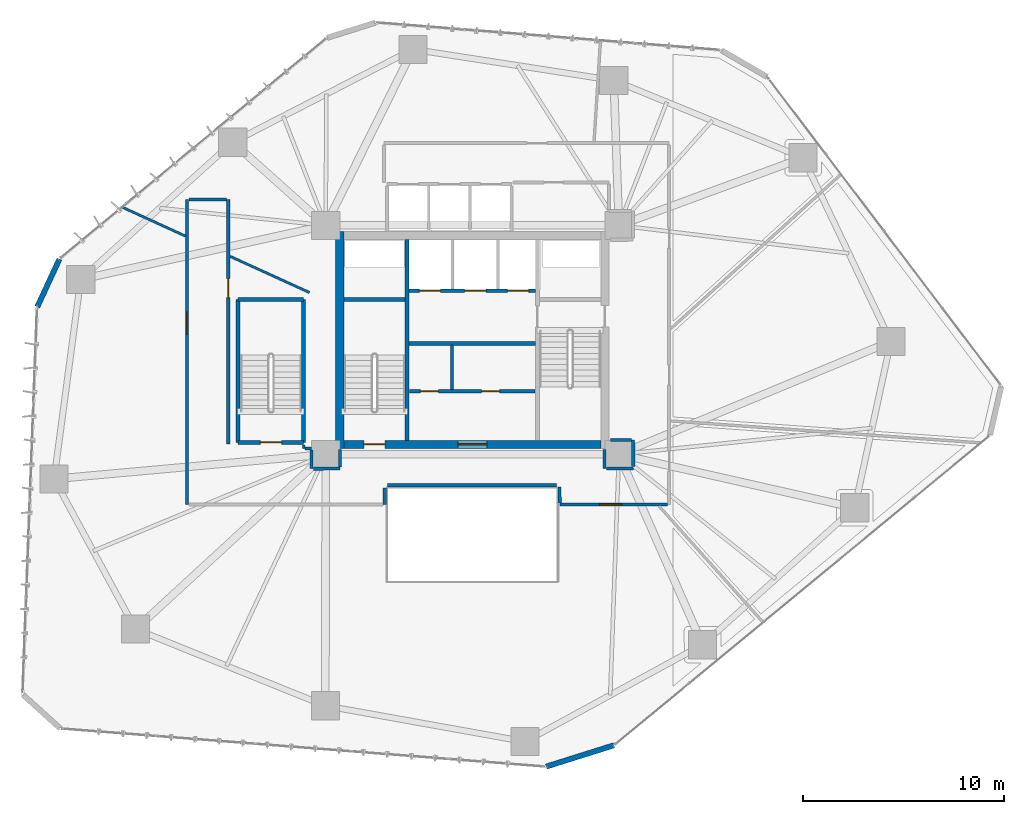
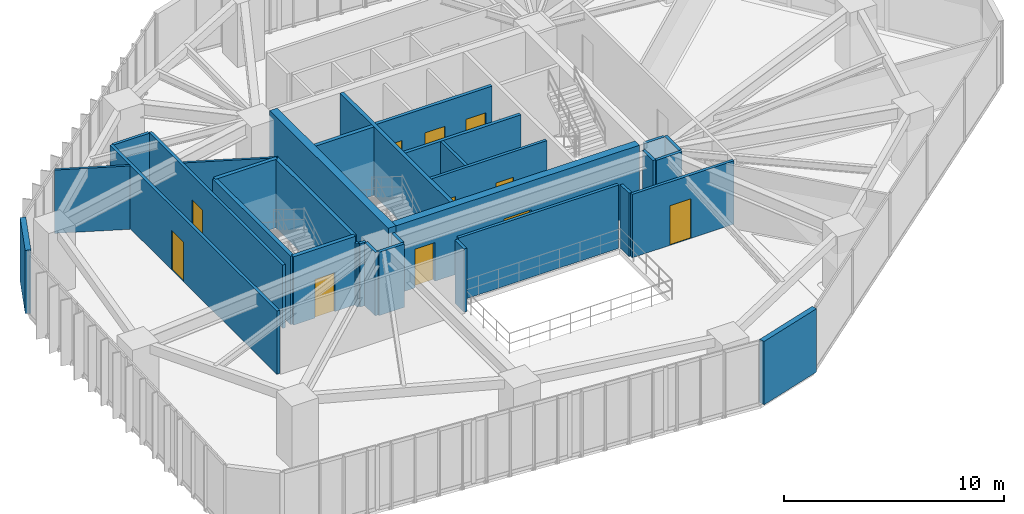
# One storey, part 18 of 23: 32 walls, 11 doors, 11 openings.
"""IFC4 building model written with IfcOpenShell, lengths in metres."""

from ifc_helpers import new_model, si_unit, direction, frame, frame_2d, origin, place, context, subcontext, project, spatial, rectangle, extrude, source, transform, mapped, material, layer, layer_set, type_object, type_shapes, element, fill, save


model = new_model("IFC4")

# Units and contexts
model_context = context("Model", 3, precision=1e-05, world=origin(), true_north=direction((0.0, 1.0)))
body_context = subcontext(model_context, "Body", "Model", "MODEL_VIEW")
ifc_project = project(units=[si_unit("LENGTHUNIT", "METRE"), si_unit("AREAUNIT", "SQUARE_METRE"), si_unit("VOLUMEUNIT", "CUBIC_METRE"), si_unit("PLANEANGLEUNIT", "RADIAN"), si_unit("MASSUNIT", "GRAM", prefix="KILO")], contexts=[model_context])

# Site, building, storey
site_placement = place(None, origin())
site = spatial("IfcSite", under=ifc_project, at=site_placement, CompositionType="ELEMENT")
building_placement = place(site_placement, origin())
building = spatial("IfcBuilding", under=site, at=building_placement, Name="Talar Marvaseh", CompositionType="ELEMENT")
storey_placement = place(building_placement, frame((0.0, 0.0, 77.199951171875)))
storey = spatial("IfcBuildingStorey", under=building, at=storey_placement, Name="L19", CompositionType="ELEMENT", Elevation=77.199951171875)

# Walls
ifc_material_1 = material(Name="Precast concrete C45/55", Category="concrete")
ifc_layer_1 = layer(ifc_material_1, 0.27001953125)
ifc_layer_set_1 = layer_set([ifc_layer_1], Name="Precast concrete C45/55")
wall_type_1 = type_object("IfcWallType", Name="Chamfered Hexagonal Corner Pier Wall Z1 270", PredefinedType="SOLIDWALL", material=ifc_layer_set_1)
wall_1_placement = place(storey_placement, frame((4.335693359375, 32.84521484375, 0.0), z_axis=(0.0, 0.0, 1.0), x_axis=(0.420662814651, 0.907217061331, 0.0)))
element("IfcWall", 1, at=wall_1_placement, inside=storey, type_object=wall_type_1, Name="L19 Chamfered Corner Limestone Pier 2", PredefinedType="SOLIDWALL", context=body_context, shape_type="SweptSolid", body=[
    extrude(rectangle(XDim=2.623291015625, YDim=0.27001953125, at=frame_2d((1.3115234375, 0.0))), origin(), (0.0, 0.0, 1.0), 3.52001953125),
])
wall_2_placement = place(storey_placement, frame((33.052490234375, 11.01171875, 0.0), z_axis=(0.0, 0.0, 1.0), x_axis=(-0.953701547749, -0.300754647216, 0.0)))
element("IfcWall", 2, at=wall_2_placement, inside=storey, type_object=wall_type_1, Name="L19 Chamfered Corner Limestone Pier 6", PredefinedType="SOLIDWALL", context=body_context, shape_type="SweptSolid", body=[
    extrude(rectangle(XDim=3.5361328125, YDim=0.27001953125, at=frame_2d((1.76806640625, 0.0))), origin(), (0.0, 0.0, 1.0), 3.52001953125),
])

# Wall, openings, doors
ifc_material_2 = material(Name="Gypsum Board Partition Assembly")
ifc_layer_2 = layer(ifc_material_2, 0.155029296875)
ifc_layer_set_2 = layer_set([ifc_layer_2], Name="Gypsum Board Partition Assembly")
wall_type_2 = type_object("IfcWallType", Name="Corridor Fire-Rated Acoustic Partition 155", PredefinedType="PARTITIONING", material=ifc_layer_set_2)
wall_3_placement = place(storey_placement, frame((22.865966796875, 28.639892578125, 0.0), z_axis=(0.0, 0.0, 1.0), x_axis=(1.0, 0.0, 0.0)))
wall_3 = element("IfcWall", 3, at=wall_3_placement, inside=storey, type_object=wall_type_2, Name="L19 Core BOH Partition", PredefinedType="PARTITIONING", context=body_context, shape_type="SweptSolid", body=[
    extrude(rectangle(XDim=6.26806640625, YDim=0.155029296875, at=frame_2d((3.134033203125, 0.0))), origin(), (0.0, 0.0, 1.0), 3.52001953125),
])
opening_1_placement = place(wall_3_placement, frame((0.550048828125, 0.0, 0.0)))
opening_1 = element("IfcOpeningElement", 4, at=opening_1_placement, cuts=wall_3, Name="Opening DR-BOH090", PredefinedType="OPENING", context=body_context, shape_type="SweptSolid", body=[
    extrude(rectangle(XDim=0.89990234375, YDim=2.10009765625, at=frame_2d((0.449951171875, 1.050048828125))), frame((0.0, 0.08740234375, 0.0), z_axis=(0.0, -1.0, 0.0), x_axis=(1.0, 0.0, 0.0)), (0.0, 0.0, 1.0), 0.175048828125),
])
opening_2_placement = place(wall_3_placement, frame((3.60009765625, 0.0, 0.0)))
opening_2 = element("IfcOpeningElement", 5, at=opening_2_placement, cuts=wall_3, Name="Opening DR-BOH090", PredefinedType="OPENING", context=body_context, shape_type="SweptSolid", body=[
    extrude(rectangle(XDim=0.89990234375, YDim=2.10009765625, at=frame_2d((0.449951171875, 1.050048828125))), frame((0.0, 0.08740234375, 0.0), z_axis=(0.0, -1.0, 0.0), x_axis=(1.0, 0.0, 0.0)), (0.0, 0.0, 1.0), 0.175048828125),
])
ifc_material_3 = material(Name="Fire-Rated Steel Door Leaf", Category="steel")
door_type_1 = type_object("IfcDoorType", Name="Core Back-of-House Service Door 900x2100", OperationType="NOTDEFINED", PredefinedType="DOOR", material=ifc_material_3)
shared_shape_1 = source(origin(), body_context, "Body", "SweptSolid", [
    extrude(rectangle(XDim=0.89990234375, YDim=2.10009765625, at=frame_2d((0.449951171875, 1.050048828125))), frame((0.0, 0.02490234375, 0.0), z_axis=(0.0, -1.0, 0.0), x_axis=(1.0, 0.0, 0.0)), (0.0, 0.0, 1.0), 0.050048828125),
])
type_shapes(door_type_1, [shared_shape_1])
door_1_placement = place(opening_1_placement, origin())
door_1 = element("IfcDoor", 6, at=door_1_placement, inside=storey, type_object=door_type_1, Name="L19 Cleaner Janitor Store Door", OperationType="SINGLE_SWING_LEFT", OverallHeight=2.10009765625, OverallWidth=0.89990234375, PredefinedType="DOOR", context=body_context, shape_type="MappedRepresentation", body=[
    mapped(shared_shape_1, transform((0.0, 0.0, 0.0), x_axis=(1.0, 0.0, 0.0), y_axis=(0.0, 1.0, 0.0), z_axis=(0.0, 0.0, 1.0), scale=1.0)),
])
fill(opening_1, door_1)
door_2_placement = place(opening_2_placement, origin())
door_2 = element("IfcDoor", 7, at=door_2_placement, inside=storey, type_object=door_type_1, Name="L19 Plant Core Electrical Meter Room Door", OperationType="SINGLE_SWING_RIGHT", OverallHeight=2.10009765625, OverallWidth=0.89990234375, PredefinedType="DOOR", context=body_context, shape_type="MappedRepresentation", body=[
    mapped(shared_shape_1, transform((0.0, 0.0, 0.0), x_axis=(1.0, 0.0, 0.0), y_axis=(0.0, 1.0, 0.0), z_axis=(0.0, 0.0, 1.0), scale=1.0)),
])
fill(opening_2, door_2)

# Wall
wall_4_placement = place(storey_placement, frame((24.97998046875, 28.719970703125, 0.0), z_axis=(0.0, 0.0, 1.0), x_axis=(0.0, 1.0, 0.0)))
element("IfcWall", 8, at=wall_4_placement, inside=storey, type_object=wall_type_2, Name="L19 Core BOH Partition", PredefinedType="PARTITIONING", context=body_context, shape_type="SweptSolid", body=[
    extrude(rectangle(XDim=2.219970703125, YDim=0.155029296875, at=frame_2d((1.10986328125, 0.0))), origin(), (0.0, 0.0, 1.0), 3.52001953125),
])

# Wall, opening, door
wall_5_placement = place(storey_placement, frame((11.800048828125, 23.0, 0.0), z_axis=(0.0, 0.0, 1.0), x_axis=(0.0, 1.0, 0.0)))
wall_5 = element("IfcWall", 9, at=wall_5_placement, inside=storey, type_object=wall_type_2, Name="L19 Interior Partition Wall", PredefinedType="PARTITIONING", context=body_context, shape_type="SweptSolid", body=[
    extrude(rectangle(XDim=15.199951171875, YDim=0.155029296875, at=frame_2d((7.60009765625, 0.0))), origin(), (0.0, 0.0, 1.0), 3.52001953125),
])
opening_3_placement = place(wall_5_placement, frame((8.478271484375, 0.0, 0.0)))
opening_3 = element("IfcOpeningElement", 10, at=opening_3_placement, cuts=wall_5, Name="Opening DR-RM110", PredefinedType="OPENING", context=body_context, shape_type="SweptSolid", body=[
    extrude(rectangle(XDim=1.10009765625, YDim=2.199951171875, at=frame_2d((0.550048828125, 1.10009765625))), frame((0.0, 0.08740234375, 0.0), z_axis=(0.0, -1.0, 0.0), x_axis=(1.0, 0.0, 0.0)), (0.0, 0.0, 1.0), 0.175048828125),
])
ifc_material_4 = material(Name="Acoustic Engineered Oak Timber", Category="wood")
door_type_2 = type_object("IfcDoorType", Name="Assembly and Reading Hall Door 1100x2200", OperationType="NOTDEFINED", PredefinedType="DOOR", material=ifc_material_4)
shared_shape_2 = source(origin(), body_context, "Body", "SweptSolid", [
    extrude(rectangle(XDim=1.10009765625, YDim=2.199951171875, at=frame_2d((0.550048828125, 1.10009765625))), frame((0.0, 0.02490234375, 0.0), z_axis=(0.0, -1.0, 0.0), x_axis=(1.0, 0.0, 0.0)), (0.0, 0.0, 1.0), 0.050048828125),
])
type_shapes(door_type_2, [shared_shape_2])
door_3_placement = place(opening_3_placement, origin())
door_3 = element("IfcDoor", 11, at=door_3_placement, inside=storey, type_object=door_type_2, Name="L19 Gallery Security Control Room Door", OperationType="SINGLE_SWING_LEFT", OverallHeight=2.199951171875, OverallWidth=1.10009765625, PredefinedType="DOOR", context=body_context, shape_type="MappedRepresentation", body=[
    mapped(shared_shape_2, transform((0.0, 0.0, 0.0), x_axis=(1.0, 0.0, 0.0), y_axis=(0.0, 1.0, 0.0), z_axis=(0.0, 0.0, 1.0), scale=1.0)),
])
fill(opening_3, door_3)

wall_6_placement = place(storey_placement, frame((13.85009765625, 38.199951171875, 0.0), z_axis=(0.0, 0.0, 1.0), x_axis=(0.0, -1.0, 0.0)))
wall_6 = element("IfcWall", 12, at=wall_6_placement, inside=storey, type_object=wall_type_2, Name="L19 Interior Partition Wall", PredefinedType="PARTITIONING", context=body_context, shape_type="SweptSolid", body=[
    extrude(rectangle(XDim=12.179931640625, YDim=0.155029296875, at=frame_2d((6.08984375, 0.0))), origin(), (0.0, 0.0, 1.0), 3.52001953125),
])
opening_4_placement = place(wall_6_placement, frame((3.945068359375, 0.0, 0.0)))
opening_4 = element("IfcOpeningElement", 13, at=opening_4_placement, cuts=wall_6, Name="Opening DR-WC095", PredefinedType="OPENING", context=body_context, shape_type="SweptSolid", body=[
    extrude(rectangle(XDim=0.949951171875, YDim=2.14990234375, at=frame_2d((0.47509765625, 1.074951171875))), frame((0.0, 0.08740234375, 0.0), z_axis=(0.0, -1.0, 0.0), x_axis=(1.0, 0.0, 0.0)), (0.0, 0.0, 1.0), 0.175048828125),
])
door_type_3 = type_object("IfcDoorType", Name="Washroom and Service Room Door 950x2150", OperationType="NOTDEFINED", PredefinedType="DOOR", material=ifc_material_4)
shared_shape_3 = source(origin(), body_context, "Body", "SweptSolid", [
    extrude(rectangle(XDim=0.949951171875, YDim=2.14990234375, at=frame_2d((0.47509765625, 1.074951171875))), frame((0.0, 0.02490234375, 0.0), z_axis=(0.0, -1.0, 0.0), x_axis=(1.0, 0.0, 0.0)), (0.0, 0.0, 1.0), 0.050048828125),
])
type_shapes(door_type_3, [shared_shape_3])
door_4_placement = place(opening_4_placement, origin())
door_4 = element("IfcDoor", 14, at=door_4_placement, inside=storey, type_object=door_type_3, Name="L19 WC Public Washrooms Door", OperationType="SINGLE_SWING_RIGHT", OverallHeight=2.14990234375, OverallWidth=0.949951171875, PredefinedType="DOOR", context=body_context, shape_type="MappedRepresentation", body=[
    mapped(shared_shape_3, transform((0.0, 0.0, 0.0), x_axis=(1.0, 0.0, 0.0), y_axis=(0.0, 1.0, 0.0), z_axis=(0.0, 0.0, 1.0), scale=1.0)),
])
fill(opening_4, door_4)

wall_7_placement = place(storey_placement, frame((35.716552734375, 23.0, 0.0), z_axis=(0.0, 0.0, 1.0), x_axis=(-1.0, 0.0, 0.0)))
wall_7 = element("IfcWall", 15, at=wall_7_placement, inside=storey, type_object=wall_type_2, Name="L19 Interior Partition Wall", PredefinedType="PARTITIONING", context=body_context, shape_type="SweptSolid", body=[
    extrude(rectangle(XDim=5.3564453125, YDim=0.155029296875, at=frame_2d((2.67822265625, 0.0))), origin(), (0.0, 0.0, 1.0), 3.52001953125),
])
opening_5_placement = place(wall_7_placement, frame((2.27978515625, 0.0, 0.0)))
opening_5 = element("IfcOpeningElement", 16, at=opening_5_placement, cuts=wall_7, Name="Opening DR-RM110", PredefinedType="OPENING", context=body_context, shape_type="SweptSolid", body=[
    extrude(rectangle(XDim=1.10009765625, YDim=2.199951171875, at=frame_2d((0.550048828125, 1.10009765625))), frame((0.0, 0.08740234375, 0.0), z_axis=(0.0, -1.0, 0.0), x_axis=(1.0, 0.0, 0.0)), (0.0, 0.0, 1.0), 0.175048828125),
])
door_5_placement = place(opening_5_placement, origin())
door_5 = element("IfcDoor", 17, at=door_5_placement, inside=storey, type_object=door_type_2, Name="L19 Exhibition Gallery Door", OperationType="SINGLE_SWING_RIGHT", OverallHeight=2.199951171875, OverallWidth=1.10009765625, PredefinedType="DOOR", context=body_context, shape_type="MappedRepresentation", body=[
    mapped(shared_shape_2, transform((0.0, 0.0, 0.0), x_axis=(1.0, 0.0, 0.0), y_axis=(0.0, 1.0, 0.0), z_axis=(0.0, 0.0, 1.0), scale=1.0)),
])
fill(opening_5, door_5)

# Walls
wall_8_placement = place(storey_placement, frame((30.199951171875, 23.9599609375, 0.0), z_axis=(0.0, 0.0, 1.0), x_axis=(-0.999999996213, -8.7029677e-05, 0.0)))
element("IfcWall", 18, at=wall_8_placement, inside=storey, type_object=wall_type_2, Name="L19 Interior Partition Wall", PredefinedType="PARTITIONING", context=body_context, shape_type="SweptSolid", body=[
    extrude(rectangle(XDim=8.415771484375, YDim=0.155029296875, at=frame_2d((4.2080078125, 0.0))), origin(), (0.0, 0.0, 1.0), 3.52001953125),
])
wall_9_placement = place(storey_placement, frame((21.64306640625, 23.831298828125, 0.0), z_axis=(0.0, 0.0, 1.0), x_axis=(-0.003817887006, -0.999992711843, 0.0)))
element("IfcWall", 19, at=wall_9_placement, inside=storey, type_object=wall_type_2, Name="L19 Interior Partition Wall", PredefinedType="PARTITIONING", context=body_context, shape_type="SweptSolid", body=[
    extrude(rectangle(XDim=0.831298828125, YDim=0.155029296875, at=frame_2d((0.41552734375, 0.0))), origin(), (0.0, 0.0, 1.0), 3.52001953125),
])
wall_10_placement = place(storey_placement, frame((11.883544921875, 38.199951171875, 0.0), z_axis=(0.0, 0.0, 1.0), x_axis=(1.0, 0.0, 0.0)))
element("IfcWall", 20, at=wall_10_placement, inside=storey, type_object=wall_type_2, Name="L19 Interior Partition Wall", PredefinedType="PARTITIONING", context=body_context, shape_type="SweptSolid", body=[
    extrude(rectangle(XDim=1.883056640625, YDim=0.155029296875, at=frame_2d((0.94140625, 0.0))), origin(), (0.0, 0.0, 1.0), 3.52001953125),
])
wall_11_placement = place(storey_placement, frame((17.666015625, 25.800048828125, 0.0), z_axis=(0.0, 0.0, 1.0), x_axis=(1.0, 0.0, 0.0)))
element("IfcWall", 21, at=wall_11_placement, inside=storey, type_object=wall_type_2, Name="L19 Interior Partition Wall", PredefinedType="PARTITIONING", context=body_context, shape_type="SweptSolid", body=[
    extrude(rectangle(XDim=0.319091796875, YDim=0.155029296875, at=frame_2d((0.15966796875, 0.0))), origin(), (0.0, 0.0, 1.0), 3.52001953125),
])
wall_12_placement = place(storey_placement, frame((17.986083984375, 25.716552734375, 0.0), z_axis=(0.0, 0.0, 1.0), x_axis=(0.013367088724, -0.999910656478, 0.0)))
element("IfcWall", 22, at=wall_12_placement, inside=storey, type_object=wall_type_2, Name="L19 Interior Partition Wall", PredefinedType="PARTITIONING", context=body_context, shape_type="SweptSolid", body=[
    extrude(rectangle(XDim=0.931396484375, YDim=0.155029296875, at=frame_2d((0.4658203125, 0.0))), origin(), (0.0, 0.0, 1.0), 3.52001953125),
])
wall_13_placement = place(storey_placement, frame((18.08203125, 24.78515625, 0.0), z_axis=(0.0, 0.0, 1.0), x_axis=(0.99999830547, 0.001840939443, 0.0)))
element("IfcWall", 23, at=wall_13_placement, inside=storey, type_object=wall_type_2, Name="L19 Interior Partition Wall", PredefinedType="PARTITIONING", context=body_context, shape_type="SweptSolid", body=[
    extrude(rectangle(XDim=1.326171875, YDim=0.155029296875, at=frame_2d((0.6630859375, 0.0))), origin(), (0.0, 0.0, 1.0), 3.52001953125),
])
wall_14_placement = place(storey_placement, frame((19.408935546875, 24.87109375, 0.0), z_axis=(0.0, 0.0, 1.0), x_axis=(0.007106130977, 0.999974751133, 0.0)))
element("IfcWall", 24, at=wall_14_placement, inside=storey, type_object=wall_type_2, Name="L19 Interior Partition Wall", PredefinedType="PARTITIONING", context=body_context, shape_type="SweptSolid", body=[
    extrude(rectangle(XDim=0.85888671875, YDim=0.155029296875, at=frame_2d((0.429443359375, 0.0))), origin(), (0.0, 0.0, 1.0), 3.52001953125),
])
wall_15_placement = place(storey_placement, frame((32.5849609375, 25.72998046875, 0.0), z_axis=(0.0, 0.0, 1.0), x_axis=(0.007253695172, -0.999973691607, 0.0)))
element("IfcWall", 25, at=wall_15_placement, inside=storey, type_object=wall_type_2, Name="L19 Interior Partition Wall", PredefinedType="PARTITIONING", context=body_context, shape_type="SweptSolid", body=[
    extrude(rectangle(XDim=0.9423828125, YDim=0.155029296875, at=frame_2d((0.47119140625, 0.0))), origin(), (0.0, 0.0, 1.0), 3.52001953125),
])
wall_16_placement = place(storey_placement, frame((32.67529296875, 24.788330078125, 0.0), z_axis=(0.0, 0.0, 1.0), x_axis=(0.999961738884, 0.008747614993, 0.0)))
element("IfcWall", 26, at=wall_16_placement, inside=storey, type_object=wall_type_2, Name="L19 Interior Partition Wall", PredefinedType="PARTITIONING", context=body_context, shape_type="SweptSolid", body=[
    extrude(rectangle(XDim=1.339599609375, YDim=0.155029296875, at=frame_2d((0.669921875, 0.0))), origin(), (0.0, 0.0, 1.0), 3.52001953125),
])
wall_17_placement = place(storey_placement, frame((34.014892578125, 24.883544921875, 0.0), z_axis=(0.0, 0.0, 1.0), x_axis=(-0.002393659134, 0.999997135194, 0.0)))
element("IfcWall", 27, at=wall_17_placement, inside=storey, type_object=wall_type_2, Name="L19 Interior Partition Wall", PredefinedType="PARTITIONING", context=body_context, shape_type="SweptSolid", body=[
    extrude(rectangle(XDim=1.325927734375, YDim=0.155029296875, at=frame_2d((0.6630859375, 0.0))), origin(), (0.0, 0.0, 1.0), 3.52001953125),
])
wall_18_placement = place(storey_placement, frame((33.927978515625, 26.2099609375, 0.0), z_axis=(0.0, 0.0, 1.0), x_axis=(-0.999988255797, 0.004846469737, 0.0)))
element("IfcWall", 28, at=wall_18_placement, inside=storey, type_object=wall_type_2, Name="L19 Interior Partition Wall", PredefinedType="PARTITIONING", context=body_context, shape_type="SweptSolid", body=[
    extrude(rectangle(XDim=1.057861328125, YDim=0.155029296875, at=frame_2d((0.52880859375, 0.0))), origin(), (0.0, 0.0, 1.0), 3.52001953125),
])
wall_19_placement = place(storey_placement, frame((30.358154296875, 23.08349609375, 0.0), z_axis=(0.0, 0.0, 1.0), x_axis=(-0.021573276475, 0.999767269789, 0.0)))
element("IfcWall", 29, at=wall_19_placement, inside=storey, type_object=wall_type_2, Name="L19 Interior Partition Wall", PredefinedType="PARTITIONING", context=body_context, shape_type="SweptSolid", body=[
    extrude(rectangle(XDim=0.792236328125, YDim=0.155029296875, at=frame_2d((0.39599609375, 0.0))), origin(), (0.0, 0.0, 1.0), 3.52001953125),
])
ifc_layer_3 = layer(ifc_material_2, 0.1201171875)
ifc_layer_set_3 = layer_set([ifc_layer_3], Name="Gypsum Board Partition Assembly")
wall_type_3 = type_object("IfcWallType", Name="Demountable Studio Room Partition 120", PredefinedType="PARTITIONING", material=ifc_layer_set_3)
wall_20_placement = place(storey_placement, frame((17.60009765625, 25.96240234375, 0.0), z_axis=(0.0, 0.0, 1.0), x_axis=(0.0, -1.0, 0.0)))
element("IfcWall", 30, at=wall_20_placement, inside=storey, type_object=wall_type_3, Name="L19 Interior Partition Wall", PredefinedType="PARTITIONING", context=body_context, shape_type="SweptSolid", body=[
    extrude(rectangle(XDim=0.1748046875, YDim=0.1201171875, at=frame_2d((0.08740234375, 0.0))), origin(), (0.0, 0.0, 1.0), 3.52001953125),
])
wall_21_placement = place(storey_placement, frame((17.889892578125, 33.56005859375, 0.0), z_axis=(0.0, 0.0, 1.0), x_axis=(-0.910046949834, 0.414505185852, 0.0)))
element("IfcWall", 31, at=wall_21_placement, inside=storey, type_object=wall_type_3, Name="L19 Interior Partition Wall", PredefinedType="PARTITIONING", context=body_context, shape_type="SweptSolid", body=[
    extrude(rectangle(XDim=4.347412109375, YDim=0.1201171875, at=frame_2d((2.173828125, 0.0))), origin(), (0.0, 0.0, 1.0), 3.52001953125),
])
wall_22_placement = place(storey_placement, frame((11.716552734375, 36.3681640625, 0.0), z_axis=(0.0, 0.0, 1.0), x_axis=(-0.909456870772, 0.415798268642, 0.0)))
element("IfcWall", 32, at=wall_22_placement, inside=storey, type_object=wall_type_3, Name="L19 Interior Partition Wall", PredefinedType="PARTITIONING", context=body_context, shape_type="SweptSolid", body=[
    extrude(rectangle(XDim=3.446044921875, YDim=0.1201171875, at=frame_2d((1.72314453125, 0.0))), origin(), (0.0, 0.0, 1.0), 3.52001953125),
])

# Wall, openings, doors
ifc_layer_4 = layer(ifc_material_1, 0.175048828125)
ifc_layer_set_4 = layer_set([ifc_layer_4], Name="Precast concrete C45/55")
wall_type_4 = type_object("IfcWallType", Name="Fire-Rated Lift Hoistway Enclosure Wall 175", PredefinedType="SOLIDWALL", material=ifc_layer_set_4)
wall_23_placement = place(storey_placement, frame((22.860107421875, 33.64990234375, 0.0), z_axis=(0.0, 0.0, 1.0), x_axis=(1.0, 0.0, 0.0)))
wall_23 = element("IfcWall", 33, at=wall_23_placement, inside=storey, type_object=wall_type_4, Name="L19 Firefighting and Service Lift Front Wall", PredefinedType="SOLIDWALL", context=body_context, shape_type="SweptSolid", body=[
    extrude(rectangle(XDim=6.27978515625, YDim=0.175048828125, at=frame_2d((3.139892578125, 0.0))), origin(), (0.0, 0.0, 1.0), 3.52001953125),
])
opening_6_placement = place(wall_23_placement, frame((0.5, 0.0, 0.0)))
opening_6 = element("IfcOpeningElement", 34, at=opening_6_placement, cuts=wall_23, Name="Opening LD-FF1", PredefinedType="OPENING", context=body_context, shape_type="SweptSolid", body=[
    extrude(rectangle(XDim=1.050048828125, YDim=2.14990234375, at=frame_2d((0.52490234375, 1.074951171875))), frame((0.0, 0.09765625, 0.0), z_axis=(0.0, -1.0, 0.0), x_axis=(1.0, 0.0, 0.0)), (0.0, 0.0, 1.0), 0.195068359375),
])
opening_7_placement = place(wall_23_placement, frame((2.760009765625, 0.0, 0.0)))
opening_7 = element("IfcOpeningElement", 35, at=opening_7_placement, cuts=wall_23, Name="Opening LD-FF2", PredefinedType="OPENING", context=body_context, shape_type="SweptSolid", body=[
    extrude(rectangle(XDim=1.050048828125, YDim=2.14990234375, at=frame_2d((0.52490234375, 1.074951171875))), frame((0.0, 0.09765625, 0.0), z_axis=(0.0, -1.0, 0.0), x_axis=(1.0, 0.0, 0.0)), (0.0, 0.0, 1.0), 0.195068359375),
])
opening_8_placement = place(wall_23_placement, frame((4.89990234375, 0.0, 0.0)))
opening_8 = element("IfcOpeningElement", 36, at=opening_8_placement, cuts=wall_23, Name="Opening LD-SV1", PredefinedType="OPENING", context=body_context, shape_type="SweptSolid", body=[
    extrude(rectangle(XDim=1.050048828125, YDim=2.14990234375, at=frame_2d((0.52490234375, 1.074951171875))), frame((0.0, 0.09765625, 0.0), z_axis=(0.0, -1.0, 0.0), x_axis=(1.0, 0.0, 0.0)), (0.0, 0.0, 1.0), 0.195068359375),
])
ifc_material_5 = material(Name="Stainless Steel Grade 316", Category="steel")
door_type_4 = type_object("IfcDoorType", Name="Automatic Sliding Lift Landing Door 1050x2150", OperationType="NOTDEFINED", PredefinedType="DOOR", material=ifc_material_5)
shared_shape_4 = source(origin(), body_context, "Body", "SweptSolid", [
    extrude(rectangle(XDim=1.050048828125, YDim=2.14990234375, at=frame_2d((0.52490234375, 1.074951171875))), frame((0.0, 0.02490234375, 0.0), z_axis=(0.0, -1.0, 0.0), x_axis=(1.0, 0.0, 0.0)), (0.0, 0.0, 1.0), 0.050048828125),
])
type_shapes(door_type_4, [shared_shape_4])
door_6_placement = place(opening_6_placement, origin())
door_6 = element("IfcDoor", 37, at=door_6_placement, inside=storey, type_object=door_type_4, Name="L19 Lift FFL-1 Sliding Landing Door", OperationType="SLIDING_TO_LEFT", OverallHeight=2.14990234375, OverallWidth=1.050048828125, PredefinedType="DOOR", context=body_context, shape_type="MappedRepresentation", body=[
    mapped(shared_shape_4, transform((0.0, 0.0, 0.0), x_axis=(1.0, 0.0, 0.0), y_axis=(0.0, 1.0, 0.0), z_axis=(0.0, 0.0, 1.0), scale=1.0)),
])
fill(opening_6, door_6)
door_7_placement = place(opening_7_placement, origin())
door_7 = element("IfcDoor", 38, at=door_7_placement, inside=storey, type_object=door_type_4, Name="L19 Lift FFL-2 Sliding Landing Door", OperationType="SLIDING_TO_LEFT", OverallHeight=2.14990234375, OverallWidth=1.050048828125, PredefinedType="DOOR", context=body_context, shape_type="MappedRepresentation", body=[
    mapped(shared_shape_4, transform((0.0, 0.0, 0.0), x_axis=(1.0, 0.0, 0.0), y_axis=(0.0, 1.0, 0.0), z_axis=(0.0, 0.0, 1.0), scale=1.0)),
])
fill(opening_7, door_7)
door_8_placement = place(opening_8_placement, origin())
door_8 = element("IfcDoor", 39, at=door_8_placement, inside=storey, type_object=door_type_4, Name="L19 Lift SVL-1 Sliding Landing Door", OperationType="SLIDING_TO_LEFT", OverallHeight=2.14990234375, OverallWidth=1.050048828125, PredefinedType="DOOR", context=body_context, shape_type="MappedRepresentation", body=[
    mapped(shared_shape_4, transform((0.0, 0.0, 0.0), x_axis=(1.0, 0.0, 0.0), y_axis=(0.0, 1.0, 0.0), z_axis=(0.0, 0.0, 1.0), scale=1.0)),
])
fill(opening_8, door_8)

# Walls
wall_24_placement = place(storey_placement, frame((22.860107421875, 31.02001953125, 0.0), z_axis=(0.0, 0.0, 1.0), x_axis=(1.0, 0.0, 0.0)))
element("IfcWall", 40, at=wall_24_placement, inside=storey, type_object=wall_type_4, Name="L19 Firefighting Lobby South Smoke Wall", PredefinedType="SOLIDWALL", context=body_context, shape_type="SweptSolid", body=[
    extrude(rectangle(XDim=6.27978515625, YDim=0.175048828125, at=frame_2d((3.139892578125, 0.0))), origin(), (0.0, 0.0, 1.0), 3.52001953125),
])
ifc_material_6 = material(Name="Concrete C70/85", Category="concrete")
ifc_layer_5 = layer(ifc_material_6, 0.39990234375)
ifc_layer_set_5 = layer_set([ifc_layer_5], Name="Concrete C70/85")
wall_type_5 = type_object("IfcWallType", Name="Lower Core Reinforced Concrete Shear Wall 400", PredefinedType="SHEAR", material=ifc_layer_set_5)
wall_25_placement = place(storey_placement, frame((19.39990234375, 25.800048828125, 0.0), z_axis=(0.0, 0.0, 1.0), x_axis=(0.0, 1.0, 0.0)))
element("IfcWall", 41, at=wall_25_placement, inside=storey, type_object=wall_type_5, Name="L19 West Core Shear Wall", PredefinedType="SHEAR", context=body_context, shape_type="SweptSolid", body=[
    extrude(rectangle(XDim=10.800048828125, YDim=0.39990234375, at=frame_2d((5.39990234375, 0.0))), origin(), (0.0, 0.0, 1.0), 3.800048828125),
])

# Wall, openings, doors
wall_26_placement = place(storey_placement, frame((32.39990234375, 26.0, 0.0), z_axis=(0.0, 0.0, 1.0), x_axis=(-1.0, 0.0, 0.0)))
wall_26 = element("IfcWall", 42, at=wall_26_placement, inside=storey, type_object=wall_type_5, Name="L19 South Core Shear Wall", PredefinedType="SHEAR", context=body_context, shape_type="SweptSolid", body=[
    extrude(rectangle(XDim=12.7998046875, YDim=0.39990234375, at=frame_2d((6.39990234375, 0.0))), origin(), (0.0, 0.0, 1.0), 3.800048828125),
])
opening_9_placement = place(wall_26_placement, frame((10.75, 0.0, 0.0)))
opening_9 = element("IfcOpeningElement", 43, at=opening_9_placement, cuts=wall_26, Name="Opening DR-ST105", PredefinedType="OPENING", context=body_context, shape_type="SweptSolid", body=[
    extrude(rectangle(XDim=1.050048828125, YDim=2.14990234375, at=frame_2d((0.52490234375, 1.074951171875))), frame((0.0, 0.2099609375, 0.0), z_axis=(0.0, -1.0, 0.0), x_axis=(1.0, 0.0, 0.0)), (0.0, 0.0, 1.0), 0.419921875),
])
opening_10_placement = place(wall_26_placement, frame((5.669921875, 0.0, 0.0)))
opening_10 = element("IfcOpeningElement", 44, at=opening_10_placement, cuts=wall_26, Name="Opening DR-LBY145", PredefinedType="OPENING", context=body_context, shape_type="SweptSolid", body=[
    extrude(rectangle(XDim=1.449951171875, YDim=2.199951171875, at=frame_2d((0.72509765625, 1.10009765625))), frame((0.0, 0.2099609375, 0.0), z_axis=(0.0, -1.0, 0.0), x_axis=(1.0, 0.0, 0.0)), (0.0, 0.0, 1.0), 0.419921875),
])
door_type_5 = type_object("IfcDoorType", Name="Protected Exit Stair Fire Door 1050x2150", OperationType="NOTDEFINED", PredefinedType="DOOR", material=ifc_material_3)
shared_shape_5 = source(origin(), body_context, "Body", "SweptSolid", [
    extrude(rectangle(XDim=1.050048828125, YDim=2.14990234375, at=frame_2d((0.52490234375, 1.074951171875))), frame((0.0, 0.02490234375, 0.0), z_axis=(0.0, -1.0, 0.0), x_axis=(1.0, 0.0, 0.0)), (0.0, 0.0, 1.0), 0.050048828125),
])
type_shapes(door_type_5, [shared_shape_5])
door_9_placement = place(opening_9_placement, origin())
door_9 = element("IfcDoor", 45, at=door_9_placement, inside=storey, type_object=door_type_5, Name="L19 Stair ST-1 Exit Door", OperationType="SINGLE_SWING_RIGHT", OverallHeight=2.14990234375, OverallWidth=1.050048828125, PredefinedType="DOOR", context=body_context, shape_type="MappedRepresentation", body=[
    mapped(shared_shape_5, transform((0.0, 0.0, 0.0), x_axis=(1.0, 0.0, 0.0), y_axis=(0.0, 1.0, 0.0), z_axis=(0.0, 0.0, 1.0), scale=1.0)),
])
fill(opening_9, door_9)
door_type_6 = type_object("IfcDoorType", Name="Core Lift Lobby Double Smoke Door 1450x2200", OperationType="NOTDEFINED", PredefinedType="DOOR", material=ifc_material_3)
shared_shape_6 = source(origin(), body_context, "Body", "SweptSolid", [
    extrude(rectangle(XDim=1.449951171875, YDim=2.199951171875, at=frame_2d((0.72509765625, 1.10009765625))), frame((0.0, 0.02490234375, 0.0), z_axis=(0.0, -1.0, 0.0), x_axis=(1.0, 0.0, 0.0)), (0.0, 0.0, 1.0), 0.050048828125),
])
type_shapes(door_type_6, [shared_shape_6])
door_10_placement = place(opening_10_placement, origin())
door_10 = element("IfcDoor", 46, at=door_10_placement, inside=storey, type_object=door_type_6, Name="L19 Passenger Lift Lobby Entrance Door", OperationType="DOUBLE_DOOR_SINGLE_SWING", OverallHeight=2.199951171875, OverallWidth=1.449951171875, PredefinedType="DOOR", context=body_context, shape_type="MappedRepresentation", body=[
    mapped(shared_shape_6, transform((0.0, 0.0, 0.0), x_axis=(1.0, 0.0, 0.0), y_axis=(0.0, 1.0, 0.0), z_axis=(0.0, 0.0, 1.0), scale=1.0)),
])
fill(opening_10, door_10)

# Walls
ifc_material_7 = material(Name="Concrete C50/60", Category="concrete")
ifc_layer_6 = layer(ifc_material_7, 0.199951171875)
ifc_layer_set_6 = layer_set([ifc_layer_6], Name="Concrete C50/60")
wall_type_6 = type_object("IfcWallType", Name="Stair Shaft Structural Concrete Shear Wall 200", PredefinedType="SHEAR", material=ifc_layer_set_6)
wall_27_placement = place(storey_placement, frame((22.760009765625, 26.199951171875, 0.0), z_axis=(0.0, 0.0, 1.0), x_axis=(0.0, 1.0, 0.0)))
element("IfcWall", 47, at=wall_27_placement, inside=storey, type_object=wall_type_6, Name="L19 Core West Stair Shear Wall", PredefinedType="SHEAR", context=body_context, shape_type="SweptSolid", body=[
    extrude(rectangle(XDim=10.0, YDim=0.199951171875, at=frame_2d((5.0, 0.0))), origin(), (0.0, 0.0, 1.0), 3.800048828125),
])
wall_28_placement = place(storey_placement, frame((19.60009765625, 33.199951171875, 0.0), z_axis=(0.0, 0.0, 1.0), x_axis=(1.0, 0.0, 0.0)))
element("IfcWall", 48, at=wall_28_placement, inside=storey, type_object=wall_type_6, Name="L19 Stair ST-1 North Shear Wall", PredefinedType="SHEAR", context=body_context, shape_type="SweptSolid", body=[
    extrude(rectangle(XDim=3.059814453125, YDim=0.199951171875, at=frame_2d((1.52978515625, 0.0))), origin(), (0.0, 0.0, 1.0), 3.800048828125),
])

# Wall, opening, door
wall_29_placement = place(storey_placement, frame((17.60009765625, 26.10009765625, 0.0), z_axis=(0.0, 0.0, 1.0), x_axis=(-1.0, 0.0, 0.0)))
wall_29 = element("IfcWall", 49, at=wall_29_placement, inside=storey, type_object=wall_type_6, Name="L19 Stair ST-3 South Shear Wall", PredefinedType="SHEAR", context=body_context, shape_type="SweptSolid", body=[
    extrude(rectangle(XDim=3.260009765625, YDim=0.199951171875, at=frame_2d((1.6298828125, 0.0))), origin(), (0.0, 0.0, 1.0), 3.800048828125),
])
opening_11_placement = place(wall_29_placement, frame((1.10009765625, 0.0, 0.0)))
opening_11 = element("IfcOpeningElement", 50, at=opening_11_placement, cuts=wall_29, Name="Opening DR-ST105", PredefinedType="OPENING", context=body_context, shape_type="SweptSolid", body=[
    extrude(rectangle(XDim=1.050048828125, YDim=2.14990234375, at=frame_2d((0.52490234375, 1.074951171875))), frame((0.0, 0.10986328125, 0.0), z_axis=(0.0, -1.0, 0.0), x_axis=(1.0, 0.0, 0.0)), (0.0, 0.0, 1.0), 0.219970703125),
])
door_11_placement = place(opening_11_placement, origin())
door_11 = element("IfcDoor", 51, at=door_11_placement, inside=storey, type_object=door_type_5, Name="L19 Stair ST-3 Exit Door", OperationType="SINGLE_SWING_LEFT", OverallHeight=2.14990234375, OverallWidth=1.050048828125, PredefinedType="DOOR", context=body_context, shape_type="MappedRepresentation", body=[
    mapped(shared_shape_5, transform((0.0, 0.0, 0.0), x_axis=(1.0, 0.0, 0.0), y_axis=(0.0, 1.0, 0.0), z_axis=(0.0, 0.0, 1.0), scale=1.0)),
])
fill(opening_11, door_11)

# Walls
wall_30_placement = place(storey_placement, frame((14.340087890625, 33.199951171875, 0.0), z_axis=(0.0, 0.0, 1.0), x_axis=(1.0, 0.0, 0.0)))
element("IfcWall", 52, at=wall_30_placement, inside=storey, type_object=wall_type_6, Name="L19 Stair ST-3 North Shear Wall", PredefinedType="SHEAR", context=body_context, shape_type="SweptSolid", body=[
    extrude(rectangle(XDim=3.260009765625, YDim=0.199951171875, at=frame_2d((1.6298828125, 0.0))), origin(), (0.0, 0.0, 1.0), 3.800048828125),
])
for number, where, z_axis, x_axis, name in (
    (53, (14.340087890625, 26.10009765625, 0.0), (0.0, 0.0, 1.0), (0.0, 1.0, 0.0), "L19 Stair ST-3 West Shear Wall"),
    (54, (17.60009765625, 26.10009765625, 0.0), (0.0, 0.0, 1.0), (0.0, 1.0, 0.0), "L19 Stair ST-3 East Shear Wall"),
):
    element("IfcWall", number, at=place(storey_placement, frame(where, z_axis=z_axis, x_axis=x_axis)), inside=storey, type_object=wall_type_6, Name=name, PredefinedType="SHEAR", context=body_context, shape_type="SweptSolid", body=[
        extrude(rectangle(XDim=7.099853515625, YDim=0.199951171875, at=frame_2d((3.5498046875, 0.0))), origin(), (0.0, 0.0, 1.0), 3.800048828125),
    ])

save(model, "model.ifc")
